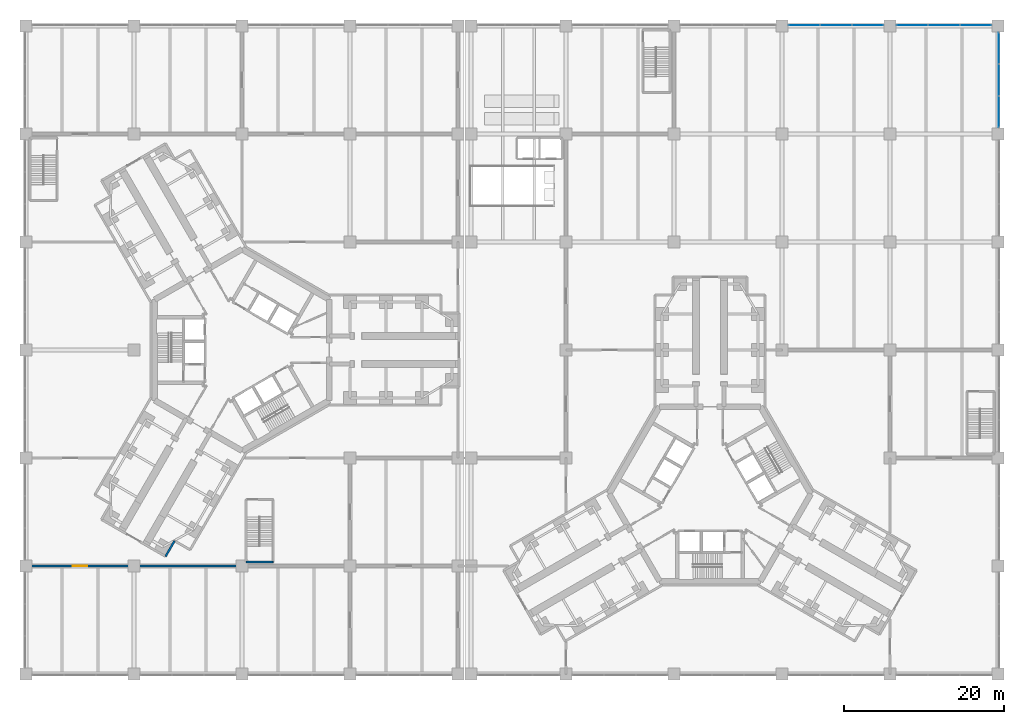
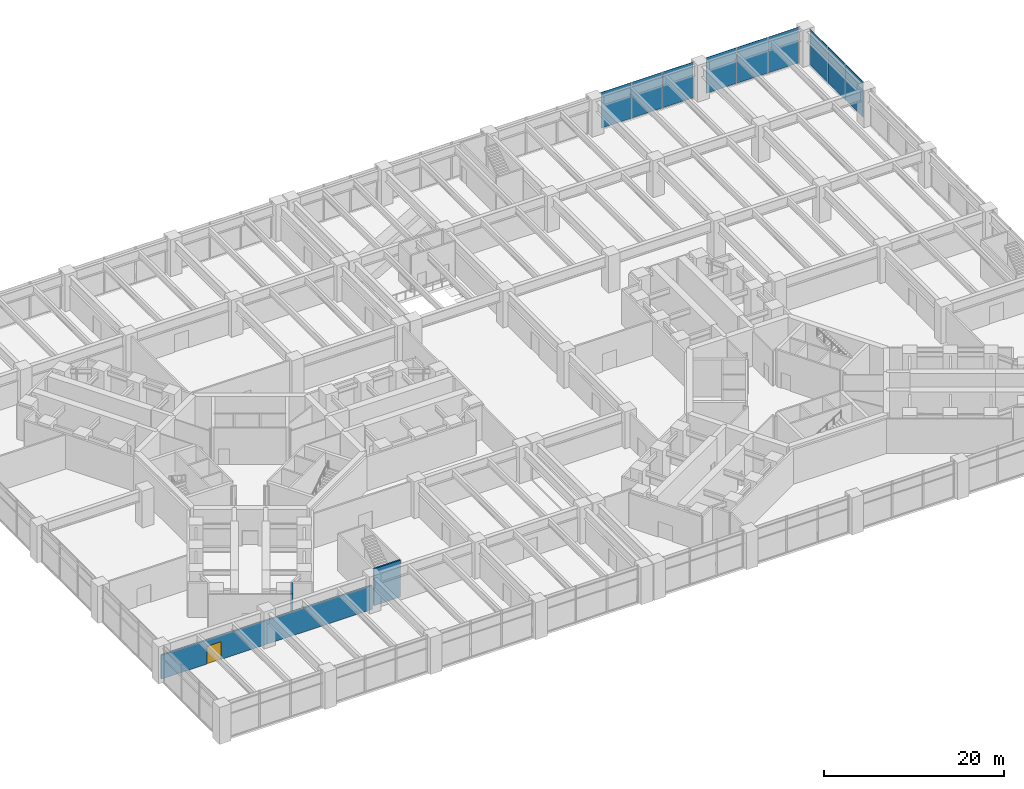
# One storey, part 20 of 32: 9 plates, 4 walls, 1 door, 1 opening, 3 elements without a shape of their own.
"""IFC4 building model written with IfcOpenShell, lengths in metres."""

from ifc_helpers import new_model, si_unit, direction, frame, frame_2d, origin, origin_2d, place, context, subcontext, project, spatial, rectangle, extrude, material, layer, layer_set, type_object, element, fill, aggregate, save


model = new_model("IFC4")

# Units and contexts
model_context = context("Model", 3, precision=1e-05, world=origin(), true_north=direction((0.0, 1.0)))
body_context = subcontext(model_context, "Body", "Model", "MODEL_VIEW")
ifc_project = project(units=[si_unit("LENGTHUNIT", "METRE"), si_unit("AREAUNIT", "SQUARE_METRE"), si_unit("VOLUMEUNIT", "CUBIC_METRE"), si_unit("PLANEANGLEUNIT", "RADIAN"), si_unit("MASSUNIT", "GRAM", prefix="KILO")], contexts=[model_context])

# Site, building, storey
site_placement = place(None, origin())
site = spatial("IfcSite", under=ifc_project, at=site_placement, CompositionType="ELEMENT")
building_placement = place(site_placement, origin())
building = spatial("IfcBuilding", under=site, at=building_placement, Name="Upepo Twin Towers", CompositionType="ELEMENT")
storey_placement = place(building_placement, frame((0.0, 0.0, 5.5)))
storey = spatial("IfcBuildingStorey", under=building, at=storey_placement, Name="L01", CompositionType="ELEMENT", Elevation=5.5)

# Curtain wall, plates
ifc_material_1 = material(Name="Aluminium and clear glass", Category="aluminium")
curtain_wall_type = type_object("IfcCurtainWallType", Name="Podium curtain wall PW1", PredefinedType="NOTDEFINED", material=ifc_material_1)
curtain_wall_1_placement = place(storey_placement, origin())
curtain_wall_1 = element("IfcCurtainWall", 1, at=curtain_wall_1_placement, inside=storey, type_object=curtain_wall_type, Name="Podium L01 curtain wall E6", PredefinedType="NOTDEFINED")
ifc_material_2 = material(Name="Ceramic-fritted laminated glass", Category="glass")
ifc_layer_1 = layer(ifc_material_2, 0.031982421875)
ifc_layer_set_1 = layer_set([ifc_layer_1], Name="Fritted glass panel, 32 mm double glazed")
plate_type_1 = type_object("IfcPlateType", Name="Fritted glass panel, 32 mm double glazed", PredefinedType="CURTAIN_PANEL", material=ifc_layer_set_1)
plate_1_placement = place(storey_placement, frame((94.60009765625, 29.78955078125, 0.14990234375), z_axis=(0.0, 0.0, 1.0), x_axis=(0.0, 1.0, 0.0)))
plate_1 = element("IfcPlate", 2, at=plate_1_placement, type_object=plate_type_1, Name="Podium L01 curtain wall E6 panel 1", PredefinedType="CURTAIN_PANEL", context=body_context, shape_type="SweptSolid", body=[
    extrude(rectangle(XDim=3.879150390625, YDim=0.031982421875, at=origin_2d()), origin(), (0.0, 0.0, 1.0), 4.85009765625),
])
plate_2_placement = place(storey_placement, frame((94.60009765625, 37.71044921875, 0.14990234375), z_axis=(0.0, 0.0, 1.0), x_axis=(0.0, 1.0, 0.0)))
plate_2 = element("IfcPlate", 3, at=plate_2_placement, type_object=plate_type_1, Name="Podium L01 curtain wall E6 panel 3", PredefinedType="CURTAIN_PANEL", context=body_context, shape_type="SweptSolid", body=[
    extrude(rectangle(XDim=3.879150390625, YDim=0.031982421875, at=origin_2d()), origin(), (0.0, 0.0, 1.0), 4.85009765625),
])

curtain_wall_2_placement = place(storey_placement, origin())
curtain_wall_2 = element("IfcCurtainWall", 4, at=curtain_wall_2_placement, inside=storey, type_object=curtain_wall_type, Name="Podium L01 curtain wall N1", PredefinedType="NOTDEFINED")
plate_3_placement = place(storey_placement, frame((91.71044921875, 40.60009765625, 0.14990234375), z_axis=(0.0, 0.0, 1.0), x_axis=(-1.0, 0.0, 0.0)))
plate_3 = element("IfcPlate", 5, at=plate_3_placement, type_object=plate_type_1, Name="Podium L01 curtain wall N1 panel 1", PredefinedType="CURTAIN_PANEL", context=body_context, shape_type="SweptSolid", body=[
    extrude(rectangle(XDim=3.879150390625, YDim=0.031982421875, at=origin_2d()), origin(), (0.0, 0.0, 1.0), 4.85009765625),
])
plate_4_placement = place(storey_placement, frame((83.78955078125, 40.60009765625, 0.14990234375), z_axis=(0.0, 0.0, 1.0), x_axis=(-1.0, 0.0, 0.0)))
plate_4 = element("IfcPlate", 6, at=plate_4_placement, type_object=plate_type_1, Name="Podium L01 curtain wall N1 panel 3", PredefinedType="CURTAIN_PANEL", context=body_context, shape_type="SweptSolid", body=[
    extrude(rectangle(XDim=3.879150390625, YDim=0.031982421875, at=origin_2d()), origin(), (0.0, 0.0, 1.0), 4.85009765625),
])

curtain_wall_3_placement = place(storey_placement, origin())
curtain_wall_3 = element("IfcCurtainWall", 7, at=curtain_wall_3_placement, inside=storey, type_object=curtain_wall_type, Name="Podium L01 curtain wall N2", PredefinedType="NOTDEFINED")
plate_5_placement = place(storey_placement, frame((78.21044921875, 40.60009765625, 0.14990234375), z_axis=(0.0, 0.0, 1.0), x_axis=(-1.0, 0.0, 0.0)))
plate_5 = element("IfcPlate", 8, at=plate_5_placement, type_object=plate_type_1, Name="Podium L01 curtain wall N2 panel 1", PredefinedType="CURTAIN_PANEL", context=body_context, shape_type="SweptSolid", body=[
    extrude(rectangle(XDim=3.879150390625, YDim=0.031982421875, at=origin_2d()), origin(), (0.0, 0.0, 1.0), 4.85009765625),
])
plate_6_placement = place(storey_placement, frame((70.28955078125, 40.60009765625, 0.14990234375), z_axis=(0.0, 0.0, 1.0), x_axis=(-1.0, 0.0, 0.0)))
plate_6 = element("IfcPlate", 9, at=plate_6_placement, type_object=plate_type_1, Name="Podium L01 curtain wall N2 panel 3", PredefinedType="CURTAIN_PANEL", context=body_context, shape_type="SweptSolid", body=[
    extrude(rectangle(XDim=3.879150390625, YDim=0.031982421875, at=origin_2d()), origin(), (0.0, 0.0, 1.0), 4.85009765625),
])

# Plate
ifc_material_3 = material(Name="Clear laminated glass in opening sash", Category="glass")
ifc_layer_2 = layer(ifc_material_3, 0.031982421875)
ifc_layer_set_2 = layer_set([ifc_layer_2], Name="Operable glass panel, 32 mm double glazed")
plate_type_2 = type_object("IfcPlateType", Name="Operable glass panel, 32 mm double glazed", PredefinedType="CURTAIN_PANEL", material=ifc_layer_set_2)
plate_7_placement = place(storey_placement, frame((94.60009765625, 33.75, 0.14990234375), z_axis=(0.0, 0.0, 1.0), x_axis=(0.0, 1.0, 0.0)))
plate_7 = element("IfcPlate", 10, at=plate_7_placement, type_object=plate_type_2, Name="Podium L01 curtain wall E6 panel 2", PredefinedType="CURTAIN_PANEL", context=body_context, shape_type="SweptSolid", body=[
    extrude(rectangle(XDim=3.91162109375, YDim=0.031982421875, at=origin_2d()), origin(), (0.0, 0.0, 1.0), 4.85009765625),
])

aggregate(curtain_wall_1, [plate_1, plate_7, plate_2])

plate_8_placement = place(storey_placement, frame((87.75, 40.60009765625, 0.14990234375), z_axis=(0.0, 0.0, 1.0), x_axis=(-1.0, 0.0, 0.0)))
plate_8 = element("IfcPlate", 11, at=plate_8_placement, type_object=plate_type_2, Name="Podium L01 curtain wall N1 panel 2", PredefinedType="CURTAIN_PANEL", context=body_context, shape_type="SweptSolid", body=[
    extrude(rectangle(XDim=3.91162109375, YDim=0.031982421875, at=origin_2d()), origin(), (0.0, 0.0, 1.0), 4.85009765625),
])

aggregate(curtain_wall_2, [plate_3, plate_8, plate_4])

plate_9_placement = place(storey_placement, frame((74.25, 40.60009765625, 0.14990234375), z_axis=(0.0, 0.0, 1.0), x_axis=(-1.0, 0.0, 0.0)))
plate_9 = element("IfcPlate", 12, at=plate_9_placement, type_object=plate_type_2, Name="Podium L01 curtain wall N2 panel 2", PredefinedType="CURTAIN_PANEL", context=body_context, shape_type="SweptSolid", body=[
    extrude(rectangle(XDim=3.91162109375, YDim=0.031982421875, at=origin_2d()), origin(), (0.0, 0.0, 1.0), 4.85009765625),
])

aggregate(curtain_wall_3, [plate_5, plate_9, plate_6])

# Wall, opening, door
ifc_material_4 = material(Name="Concrete blockwork", Category="masonry")
ifc_layer_3 = layer(ifc_material_4, 0.199951171875)
ifc_layer_set_3 = layer_set([ifc_layer_3], Name="Podium partition 200 blockwork")
wall_type_1 = type_object("IfcWallType", Name="Podium partition 200 blockwork", PredefinedType="PARTITIONING", material=ifc_layer_set_3)
wall_1_placement = place(storey_placement, frame((-27.0, -27.0, 0.0), z_axis=(0.0, 0.0, 1.0), x_axis=(1.0, 0.0, 0.0)))
wall_1 = element("IfcWall", 13, at=wall_1_placement, inside=storey, type_object=wall_type_1, Name="L01 podium wall Y01", PredefinedType="PARTITIONING", context=body_context, shape_type="SweptSolid", body=[
    extrude(rectangle(XDim=13.5, YDim=0.199951171875, at=frame_2d((6.75, 0.0))), origin(), (0.0, 0.0, 1.0), 3.25),
])
opening_placement = place(wall_1_placement, frame((5.85009765625, 0.0, 0.0)))
opening = element("IfcOpeningElement", 14, at=opening_placement, cuts=wall_1, Name="Opening D10", PredefinedType="OPENING", context=body_context, shape_type="SweptSolid", body=[
    extrude(rectangle(XDim=1.800048828125, YDim=2.39990234375, at=frame_2d((0.89990234375, 1.199951171875))), frame((0.0, 0.10986328125, 0.0), z_axis=(0.0, -1.0, 0.0), x_axis=(1.0, 0.0, 0.0)), (0.0, 0.0, 1.0), 0.219970703125),
])
ifc_material_5 = material(Name="Timber doorset", Category="wood")
door_type = type_object("IfcDoorType", Name="Podium double door 1800", OperationType="DOUBLE_DOOR_DOUBLE_SWING", PredefinedType="DOOR", material=ifc_material_5)
door_placement = place(opening_placement, origin())
door = element("IfcDoor", 15, at=door_placement, inside=storey, type_object=door_type, Name="L01 computer laboratory 1 door", OperationType="DOUBLE_DOOR_DOUBLE_SWING", OverallHeight=2.39990234375, OverallWidth=1.800048828125, PredefinedType="DOOR", context=body_context, shape_type="SweptSolid", body=[
    extrude(rectangle(XDim=1.800048828125, YDim=2.39990234375, at=frame_2d((0.89990234375, 1.199951171875))), frame((0.0, 0.02490234375, 0.0), z_axis=(0.0, -1.0, 0.0), x_axis=(1.0, 0.0, 0.0)), (0.0, 0.0, 1.0), 0.050048828125),
])
fill(opening, door)

# Walls
wall_2_placement = place(storey_placement, frame((-13.5, -27.0, 0.0), z_axis=(0.0, 0.0, 1.0), x_axis=(1.0, 0.0, 0.0)))
element("IfcWall", 16, at=wall_2_placement, inside=storey, type_object=wall_type_1, Name="L01 podium wall Y11", PredefinedType="PARTITIONING", context=body_context, shape_type="SweptSolid", body=[
    extrude(rectangle(XDim=13.5, YDim=0.199951171875, at=frame_2d((6.75, 0.0))), origin(), (0.0, 0.0, 1.0), 3.25),
])
ifc_material_6 = material(Name="Concrete C40/50", Category="concrete")
ifc_layer_4 = layer(ifc_material_6, 0.199951171875)
ifc_layer_set_4 = layer_set([ifc_layer_4], Name="Concrete C40/50")
wall_type_2 = type_object("IfcWallType", Name="Podium stair enclosure 200 RC", PredefinedType="SHEAR", material=ifc_layer_set_4)
wall_3_placement = place(storey_placement, frame((0.5, -26.5, 0.0), z_axis=(0.0, 0.0, 1.0), x_axis=(1.0, 0.0, 0.0)))
element("IfcWall", 17, at=wall_3_placement, inside=storey, type_object=wall_type_2, Name="PS3 L01 enclosure wall 1", PredefinedType="SHEAR", context=body_context, shape_type="SweptSolid", body=[
    extrude(rectangle(XDim=3.39990234375, YDim=0.199951171875, at=frame_2d((1.699951171875, 0.0))), origin(), (0.0, 0.0, 1.0), 5.0),
])
ifc_material_7 = material(Name="Concrete blockwork", Category="masonry")
ifc_layer_5 = layer(ifc_material_7, 0.25)
ifc_layer_set_5 = layer_set([ifc_layer_5], Name="Tower enclosure wall 250 blockwork")
wall_type_3 = type_object("IfcWallType", Name="Tower enclosure wall 250 blockwork", PredefinedType="STANDARD", material=ifc_layer_set_5)
wall_4_placement = place(storey_placement, frame((-8.43212890625, -23.85498046875, 0.0), z_axis=(0.0, 0.0, 1.0), x_axis=(-0.500013631625, -0.866017533419, 0.0)))
element("IfcWall", 18, at=wall_4_placement, inside=storey, type_object=wall_type_3, Name="T1 L01 enclosure wall 1", PredefinedType="STANDARD", context=body_context, shape_type="SweptSolid", body=[
    extrude(rectangle(XDim=2.25, YDim=0.25, at=frame_2d((1.125, 0.0))), origin(), (0.0, 0.0, 1.0), 4.64990234375),
])

save(model, "model.ifc")
